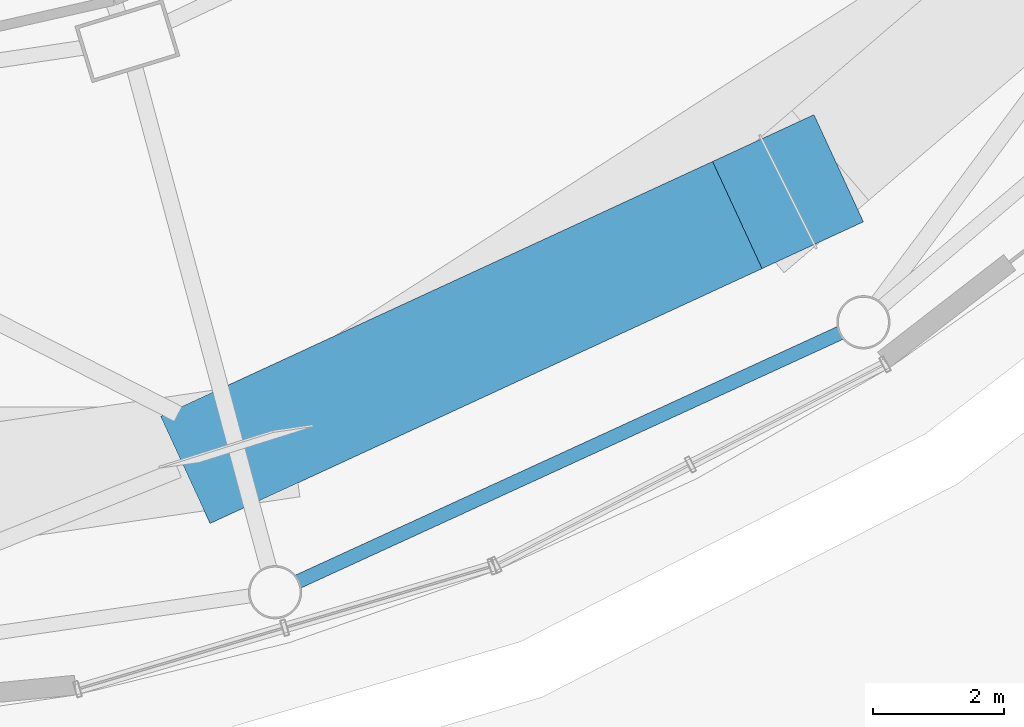
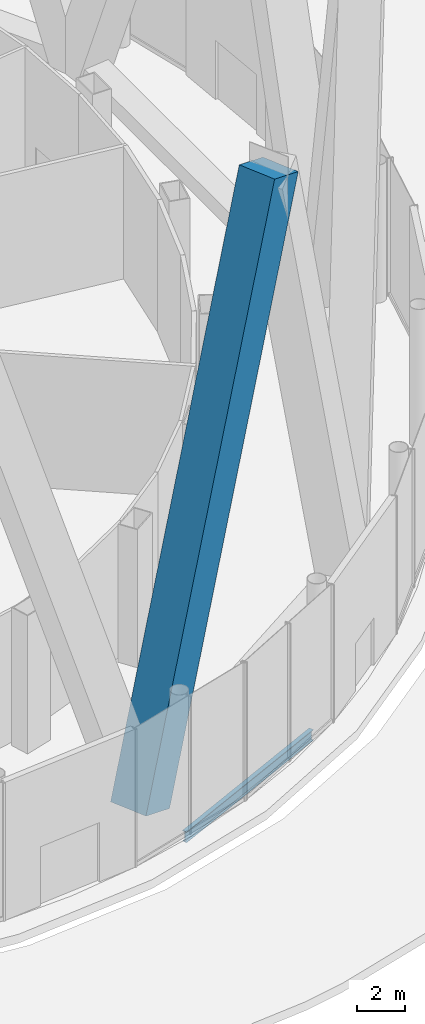
# One storey, part 17 of 67: 1 beam, 1 member.
"""IFC4 building model written with IfcOpenShell, lengths in metres."""

from ifc_helpers import new_model, si_unit, direction, frame, origin, origin_2d, place, context, subcontext, project, spatial, rectangle, i_section, extrude, material, material_profile, profile_set, type_object, element, save


model = new_model("IFC4")

# Units and contexts
model_context = context("Model", 3, precision=1e-05, world=origin(), true_north=direction((0.0, 1.0)))
body_context = subcontext(model_context, "Body", "Model", "MODEL_VIEW")
ifc_project = project(units=[si_unit("LENGTHUNIT", "METRE"), si_unit("AREAUNIT", "SQUARE_METRE"), si_unit("VOLUMEUNIT", "CUBIC_METRE"), si_unit("PLANEANGLEUNIT", "RADIAN"), si_unit("MASSUNIT", "GRAM", prefix="KILO")], contexts=[model_context])

# Site, building, storey
site_placement = place(None, origin())
site = spatial("IfcSite", under=ifc_project, at=site_placement, CompositionType="ELEMENT")
building_placement = place(site_placement, origin())
building = spatial("IfcBuilding", under=site, at=building_placement, Name="Nagisa Residences", CompositionType="ELEMENT")
storey_placement = place(building_placement, origin())
storey = spatial("IfcBuildingStorey", under=building, at=storey_placement, Name="L00", CompositionType="ELEMENT", Elevation=0.0)

# Beam
ifc_material_1 = material(Name="Steel ASTM A572 Gr 50", Category="steel")
ifc_material_profile_1 = material_profile(ifc_material_1, i_section(OverallWidth=0.214111328125, OverallDepth=0.549072265625, WebThickness=0.0146484375, FlangeThickness=0.023681640625, at=origin_2d()), Name="W530x138")
ifc_profile_set_1 = profile_set([ifc_material_profile_1], Name="Steel ASTM A572 Gr 50")
beam_type = type_object("IfcBeamType", Name="Atrium ring beam W530x138", PredefinedType="BEAM", material=ifc_profile_set_1)
beam_placement = place(storey_placement, frame((13.579345703125, -39.635009765625, -0.674560546875), z_axis=(0.908914420706, 0.416982704477, 0.0), x_axis=(-0.416982704477, 0.908914420706, 0.0)))
element("IfcBeam", 1, at=beam_placement, inside=storey, type_object=beam_type, Name="beam:L00:ab20", PredefinedType="BEAM", context=body_context, shape_type="SweptSolid", body=[
    extrude(i_section(OverallWidth=0.214111328125, OverallDepth=0.549072265625, WebThickness=0.0146484375, FlangeThickness=0.023681640625, at=origin_2d()), origin(), (0.0, 0.0, 1.0), 9.097900390625),
])

# Member
ifc_material_2 = material(Name="Concrete C80", Category="concrete")
ifc_material_profile_2 = material_profile(ifc_material_2, rectangle(XDim=1.800048828125, YDim=1.800048828125, at=origin_2d()), Name="C80 1800x1800")
ifc_profile_set_2 = profile_set([ifc_material_profile_2], Name="Concrete C80")
member_type = type_object("IfcMemberType", Name="Cage diagonal 1 C80 1800x1800", PredefinedType="BRACE", material=ifc_profile_set_2)
member_placement = place(storey_placement, frame((12.6328125, -37.574462890625, 0.0), z_axis=(0.294851836473, 0.136124276507, 0.945797322831), x_axis=(-0.419156702322, 0.907913905004, 0.0)))
element("IfcMember", 2, at=member_placement, inside=storey, type_object=member_type, Name="mem:L00:cg1d020", PredefinedType="BRACE", context=body_context, shape_type="SweptSolid", body=[
    extrude(rectangle(XDim=1.800048828125, YDim=1.800048828125, at=origin_2d()), origin(), (0.0, 0.0, 1.0), 28.54736328125),
])

save(model, "model.ifc")
